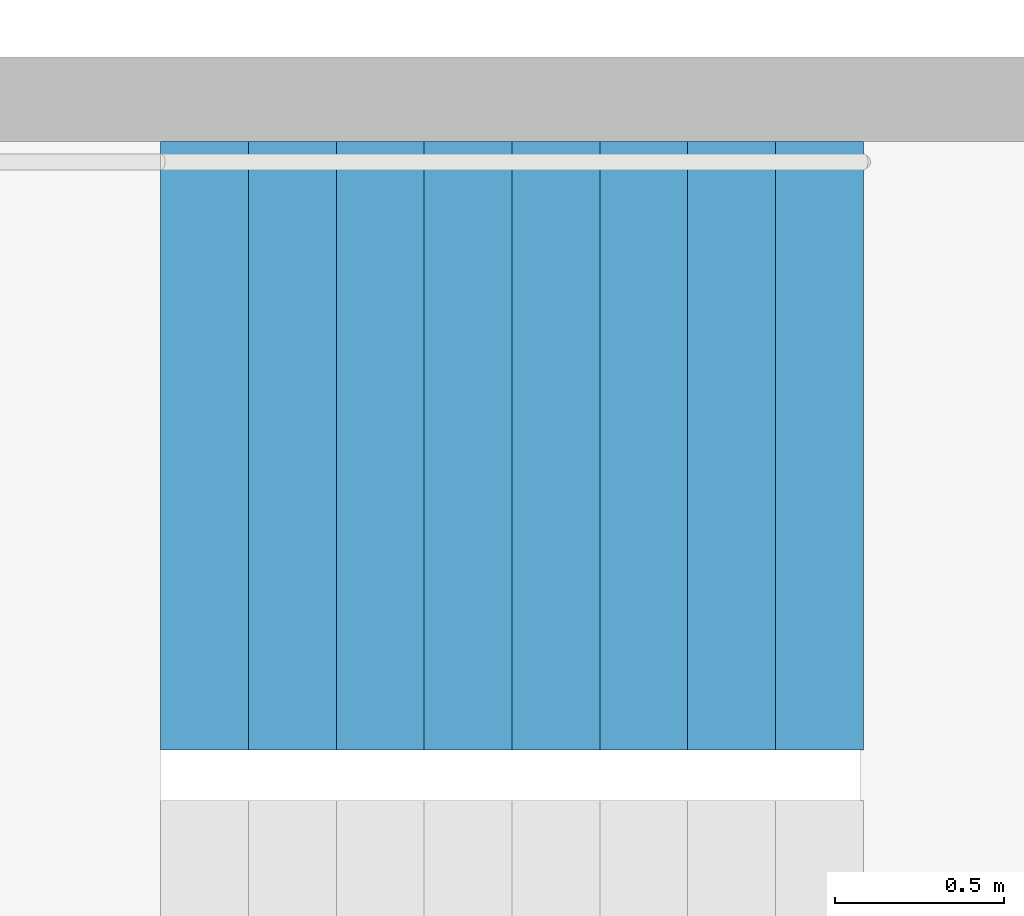
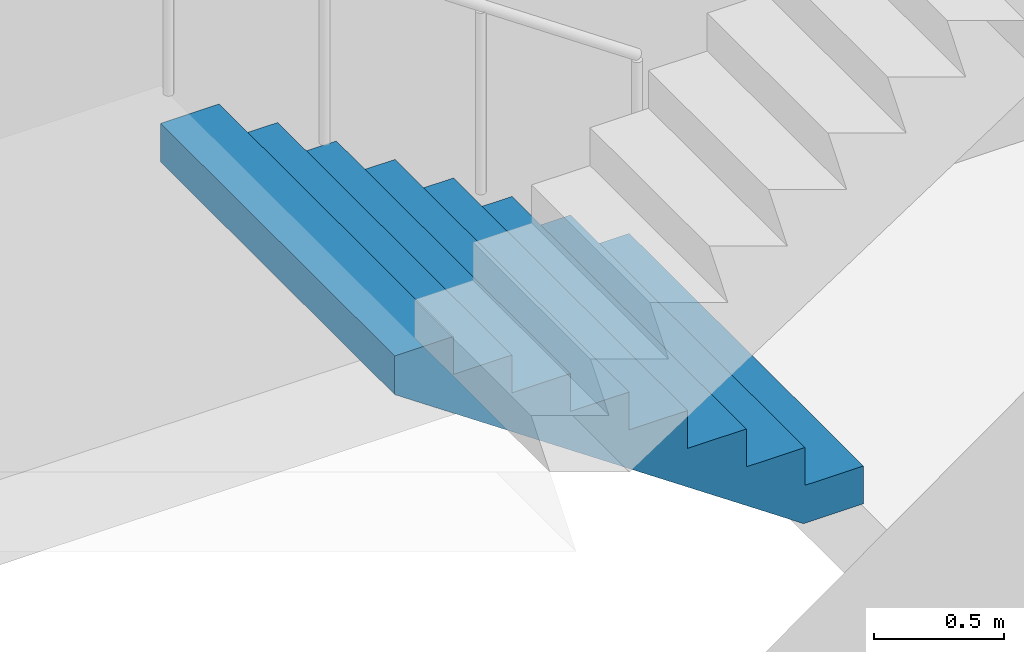
# One storey, part 22 of 29: 1 stair flight, 1 element without a shape of its own.
"""IFC4 building model written with IfcOpenShell, lengths in metres."""

from ifc_helpers import new_model, si_unit, direction, frame, origin, place, context, subcontext, project, spatial, triangles, material, type_object, element, aggregate, save


model = new_model("IFC4")

# Units and contexts
model_context = context("Model", 3, precision=1e-05, world=origin(), true_north=direction((0.0, 1.0)))
body_context = subcontext(model_context, "Body", "Model", "MODEL_VIEW")
ifc_project = project(units=[si_unit("LENGTHUNIT", "METRE"), si_unit("AREAUNIT", "SQUARE_METRE"), si_unit("VOLUMEUNIT", "CUBIC_METRE"), si_unit("PLANEANGLEUNIT", "RADIAN"), si_unit("MASSUNIT", "GRAM", prefix="KILO")], contexts=[model_context])

# Site, building, storey
site_placement = place(None, origin())
site = spatial("IfcSite", under=ifc_project, at=site_placement, CompositionType="ELEMENT")
building_placement = place(site_placement, origin())
building = spatial("IfcBuilding", under=site, at=building_placement, Name="Hakoniwa Tower and Hamabe Station Hall", CompositionType="ELEMENT")
storey_placement = place(building_placement, frame((0.0, 0.0, 104.199951171875)))
storey = spatial("IfcBuildingStorey", under=building, at=storey_placement, Name="L29", CompositionType="ELEMENT", Elevation=104.199951171875)

# Stair, stair flight
ifc_material_1 = material(Name="Concrete C40", Category="concrete")
stair_type = type_object("IfcStairType", Name="ESCAPE STAIR 1800", PredefinedType="HALF_TURN_STAIR", material=ifc_material_1)
stair_placement = place(storey_placement, origin())
stair = element("IfcStair", 1, at=stair_placement, inside=storey, type_object=stair_type, Name="Escape stair ST-2 L29", PredefinedType="HALF_TURN_STAIR")
ifc_material_2 = material(Name="Concrete C40", Category="concrete")
stair_flight_type = type_object("IfcStairFlightType", Name="STAIR FLIGHT 1800", PredefinedType="STRAIGHT", material=ifc_material_2)
stair_flight_placement = place(storey_placement, frame((-23.39990234375, -4.64990234375, 0.0), z_axis=(0.0, 0.0, 1.0), x_axis=(-1.0, 0.0, 0.0)))
stair_flight = element("IfcStairFlight", 2, at=stair_flight_placement, type_object=stair_flight_type, Name="ST-2 flight 1", NumberOfRisers=9, NumberOfTreads=8, PredefinedType="STRAIGHT", RiserHeight=0.177777778, TreadLength=0.26, context=body_context, shape_type="Tessellation", body=[
    triangles([(0.0, 0.89990234375, 0.0), (0.260009765625, 0.89990234375, 0.0), (0.265625, 0.89990234375, 0.0), (0.52001953125, 0.89990234375, 0.174072265625), (0.780029296875, 0.89990234375, 0.351806640625), (1.0400390625, 0.89990234375, 0.529541015625), (1.300048828125, 0.89990234375, 0.707275390625), (1.56005859375, 0.89990234375, 0.885009765625), (1.820068359375, 0.89990234375, 1.062744140625), (2.080078125, 0.89990234375, 1.24072265625), (2.080078125, 0.89990234375, 1.422119140625), (1.820068359375, 0.89990234375, 1.422119140625), (1.820068359375, 0.89990234375, 1.244384765625), (1.56005859375, 0.89990234375, 1.244384765625), (1.56005859375, 0.89990234375, 1.066650390625), (1.300048828125, 0.89990234375, 1.066650390625), (1.300048828125, 0.89990234375, 0.888916015625), (1.0400390625, 0.89990234375, 0.888916015625), (1.0400390625, 0.89990234375, 0.711181640625), (0.780029296875, 0.89990234375, 0.711181640625), (0.780029296875, 0.89990234375, 0.533447265625), (0.52001953125, 0.89990234375, 0.533447265625), (0.52001953125, 0.89990234375, 0.35546875), (0.265625, 0.89990234375, 0.35546875), (0.260009765625, 0.89990234375, 0.35546875), (0.260009765625, 0.89990234375, 0.177734375), (0.0, 0.89990234375, 0.177734375), (0.0, 0.06005859375, 0.0), (0.260009765625, 0.06005859375, 0.0), (0.265625, 0.06005859375, 0.0), (0.52001953125, 0.06005859375, 0.174072265625), (0.780029296875, 0.06005859375, 0.351806640625), (1.0400390625, 0.06005859375, 0.529541015625), (1.300048828125, 0.06005859375, 0.707275390625), (1.56005859375, 0.06005859375, 0.885009765625), (1.820068359375, 0.06005859375, 1.062744140625), (2.080078125, 0.06005859375, 1.24072265625), (2.080078125, 0.06005859375, 1.422119140625), (1.820068359375, 0.06005859375, 1.422119140625), (1.820068359375, 0.06005859375, 1.244384765625), (1.56005859375, 0.06005859375, 1.244384765625), (1.56005859375, 0.06005859375, 1.066650390625), (1.300048828125, 0.06005859375, 1.066650390625), (1.300048828125, 0.06005859375, 0.888916015625), (1.0400390625, 0.06005859375, 0.888916015625), (1.0400390625, 0.06005859375, 0.711181640625), (0.780029296875, 0.06005859375, 0.711181640625), (0.780029296875, 0.06005859375, 0.533447265625), (0.52001953125, 0.06005859375, 0.533447265625), (0.52001953125, 0.06005859375, 0.35546875), (0.265625, 0.06005859375, 0.35546875), (0.260009765625, 0.06005859375, 0.35546875), (0.260009765625, 0.06005859375, 0.177734375), (0.0, 0.06005859375, 0.177734375), (0.0, 0.04296875, 0.0), (0.260009765625, 0.04296875, 0.0), (0.265625, 0.04296875, 0.0), (0.52001953125, 0.04296875, 0.174072265625), (0.780029296875, 0.04296875, 0.351806640625), (1.0400390625, 0.04296875, 0.529541015625), (1.300048828125, 0.04296875, 0.707275390625), (1.56005859375, 0.04296875, 0.885009765625), (1.820068359375, 0.04296875, 1.062744140625), (2.080078125, 0.04296875, 1.24072265625), (2.080078125, 0.04296875, 1.422119140625), (1.820068359375, 0.04296875, 1.422119140625), (1.820068359375, 0.04296875, 1.244384765625), (1.56005859375, 0.04296875, 1.244384765625), (1.56005859375, 0.04296875, 1.066650390625), (1.300048828125, 0.04296875, 1.066650390625), (1.300048828125, 0.04296875, 0.888916015625), (1.0400390625, 0.04296875, 0.888916015625), (1.0400390625, 0.04296875, 0.711181640625), (0.780029296875, 0.04296875, 0.711181640625), (0.780029296875, 0.04296875, 0.533447265625), (0.52001953125, 0.04296875, 0.533447265625), (0.52001953125, 0.04296875, 0.35546875), (0.265625, 0.04296875, 0.35546875), (0.260009765625, 0.04296875, 0.35546875), (0.260009765625, 0.04296875, 0.177734375), (0.0, 0.04296875, 0.177734375), (0.0, 0.025634765625, 0.0), (0.260009765625, 0.025634765625, 0.0), (0.265625, 0.025634765625, 0.0), (0.52001953125, 0.025634765625, 0.174072265625), (0.780029296875, 0.025634765625, 0.351806640625), (1.0400390625, 0.025634765625, 0.529541015625), (1.300048828125, 0.025634765625, 0.707275390625), (1.56005859375, 0.025634765625, 0.885009765625), (1.820068359375, 0.025634765625, 1.062744140625), (2.080078125, 0.025634765625, 1.24072265625), (2.080078125, 0.025634765625, 1.422119140625), (1.820068359375, 0.025634765625, 1.422119140625), (1.820068359375, 0.025634765625, 1.244384765625), (1.56005859375, 0.025634765625, 1.244384765625), (1.56005859375, 0.025634765625, 1.066650390625), (1.300048828125, 0.025634765625, 1.066650390625), (1.300048828125, 0.025634765625, 0.888916015625), (1.0400390625, 0.025634765625, 0.888916015625), (1.0400390625, 0.025634765625, 0.711181640625), (0.780029296875, 0.025634765625, 0.711181640625), (0.780029296875, 0.025634765625, 0.533447265625), (0.52001953125, 0.025634765625, 0.533447265625), (0.52001953125, 0.025634765625, 0.35546875), (0.265625, 0.025634765625, 0.35546875), (0.260009765625, 0.025634765625, 0.35546875), (0.260009765625, 0.025634765625, 0.177734375), (0.0, 0.025634765625, 0.177734375), (0.0, 0.008544921875, 0.0), (0.260009765625, 0.008544921875, 0.0), (0.265625, 0.008544921875, 0.0), (0.52001953125, 0.008544921875, 0.174072265625), (0.780029296875, 0.008544921875, 0.351806640625), (1.0400390625, 0.008544921875, 0.529541015625), (1.300048828125, 0.008544921875, 0.707275390625), (1.56005859375, 0.008544921875, 0.885009765625), (1.820068359375, 0.008544921875, 1.062744140625), (2.080078125, 0.008544921875, 1.24072265625), (2.080078125, 0.008544921875, 1.422119140625), (1.820068359375, 0.008544921875, 1.422119140625), (1.820068359375, 0.008544921875, 1.244384765625), (1.56005859375, 0.008544921875, 1.244384765625), (1.56005859375, 0.008544921875, 1.066650390625), (1.300048828125, 0.008544921875, 1.066650390625), (1.300048828125, 0.008544921875, 0.888916015625), (1.0400390625, 0.008544921875, 0.888916015625), (1.0400390625, 0.008544921875, 0.711181640625), (0.780029296875, 0.008544921875, 0.711181640625), (0.780029296875, 0.008544921875, 0.533447265625), (0.52001953125, 0.008544921875, 0.533447265625), (0.52001953125, 0.008544921875, 0.35546875), (0.265625, 0.008544921875, 0.35546875), (0.260009765625, 0.008544921875, 0.35546875), (0.260009765625, 0.008544921875, 0.177734375), (0.0, 0.008544921875, 0.177734375), (0.0, -0.008544921875, 0.0), (0.260009765625, -0.008544921875, 0.0), (0.265625, -0.008544921875, 0.0), (0.52001953125, -0.008544921875, 0.174072265625), (0.780029296875, -0.008544921875, 0.351806640625), (1.0400390625, -0.008544921875, 0.529541015625), (1.300048828125, -0.008544921875, 0.707275390625), (1.56005859375, -0.008544921875, 0.885009765625), (1.820068359375, -0.008544921875, 1.062744140625), (2.080078125, -0.008544921875, 1.24072265625), (2.080078125, -0.008544921875, 1.422119140625), (1.820068359375, -0.008544921875, 1.422119140625), (1.820068359375, -0.008544921875, 1.244384765625), (1.56005859375, -0.008544921875, 1.244384765625), (1.56005859375, -0.008544921875, 1.066650390625), (1.300048828125, -0.008544921875, 1.066650390625), (1.300048828125, -0.008544921875, 0.888916015625), (1.0400390625, -0.008544921875, 0.888916015625), (1.0400390625, -0.008544921875, 0.711181640625), (0.780029296875, -0.008544921875, 0.711181640625), (0.780029296875, -0.008544921875, 0.533447265625), (0.52001953125, -0.008544921875, 0.533447265625), (0.52001953125, -0.008544921875, 0.35546875), (0.265625, -0.008544921875, 0.35546875), (0.260009765625, -0.008544921875, 0.35546875), (0.260009765625, -0.008544921875, 0.177734375), (0.0, -0.008544921875, 0.177734375), (0.0, -0.025634765625, 0.0), (0.260009765625, -0.025634765625, 0.0), (0.265625, -0.025634765625, 0.0), (0.52001953125, -0.025634765625, 0.174072265625), (0.780029296875, -0.025634765625, 0.351806640625), (1.0400390625, -0.025634765625, 0.529541015625), (1.300048828125, -0.025634765625, 0.707275390625), (1.56005859375, -0.025634765625, 0.885009765625), (1.820068359375, -0.025634765625, 1.062744140625), (2.080078125, -0.025634765625, 1.24072265625), (2.080078125, -0.025634765625, 1.422119140625), (1.820068359375, -0.025634765625, 1.422119140625), (1.820068359375, -0.025634765625, 1.244384765625), (1.56005859375, -0.025634765625, 1.244384765625), (1.56005859375, -0.025634765625, 1.066650390625), (1.300048828125, -0.025634765625, 1.066650390625), (1.300048828125, -0.025634765625, 0.888916015625), (1.0400390625, -0.025634765625, 0.888916015625), (1.0400390625, -0.025634765625, 0.711181640625), (0.780029296875, -0.025634765625, 0.711181640625), (0.780029296875, -0.025634765625, 0.533447265625), (0.52001953125, -0.025634765625, 0.533447265625), (0.52001953125, -0.025634765625, 0.35546875), (0.265625, -0.025634765625, 0.35546875), (0.260009765625, -0.025634765625, 0.35546875), (0.260009765625, -0.025634765625, 0.177734375), (0.0, -0.025634765625, 0.177734375), (0.0, -0.04296875, 0.0), (0.260009765625, -0.04296875, 0.0), (0.265625, -0.04296875, 0.0), (0.52001953125, -0.04296875, 0.174072265625), (0.780029296875, -0.04296875, 0.351806640625), (1.0400390625, -0.04296875, 0.529541015625), (1.300048828125, -0.04296875, 0.707275390625), (1.56005859375, -0.04296875, 0.885009765625), (1.820068359375, -0.04296875, 1.062744140625), (2.080078125, -0.04296875, 1.24072265625), (2.080078125, -0.04296875, 1.422119140625), (1.820068359375, -0.04296875, 1.422119140625), (1.820068359375, -0.04296875, 1.244384765625), (1.56005859375, -0.04296875, 1.244384765625), (1.56005859375, -0.04296875, 1.066650390625), (1.300048828125, -0.04296875, 1.066650390625), (1.300048828125, -0.04296875, 0.888916015625), (1.0400390625, -0.04296875, 0.888916015625), (1.0400390625, -0.04296875, 0.711181640625), (0.780029296875, -0.04296875, 0.711181640625), (0.780029296875, -0.04296875, 0.533447265625), (0.52001953125, -0.04296875, 0.533447265625), (0.52001953125, -0.04296875, 0.35546875), (0.265625, -0.04296875, 0.35546875), (0.260009765625, -0.04296875, 0.35546875), (0.260009765625, -0.04296875, 0.177734375), (0.0, -0.04296875, 0.177734375), (0.0, -0.06005859375, 0.0), (0.260009765625, -0.06005859375, 0.0), (0.265625, -0.06005859375, 0.0), (0.52001953125, -0.06005859375, 0.174072265625), (0.780029296875, -0.06005859375, 0.351806640625), (1.0400390625, -0.06005859375, 0.529541015625), (1.300048828125, -0.06005859375, 0.707275390625), (1.56005859375, -0.06005859375, 0.885009765625), (1.820068359375, -0.06005859375, 1.062744140625), (2.080078125, -0.06005859375, 1.24072265625), (2.080078125, -0.06005859375, 1.422119140625), (1.820068359375, -0.06005859375, 1.422119140625), (1.820068359375, -0.06005859375, 1.244384765625), (1.56005859375, -0.06005859375, 1.244384765625), (1.56005859375, -0.06005859375, 1.066650390625), (1.300048828125, -0.06005859375, 1.066650390625), (1.300048828125, -0.06005859375, 0.888916015625), (1.0400390625, -0.06005859375, 0.888916015625), (1.0400390625, -0.06005859375, 0.711181640625), (0.780029296875, -0.06005859375, 0.711181640625), (0.780029296875, -0.06005859375, 0.533447265625), (0.52001953125, -0.06005859375, 0.533447265625), (0.52001953125, -0.06005859375, 0.35546875), (0.265625, -0.06005859375, 0.35546875), (0.260009765625, -0.06005859375, 0.35546875), (0.260009765625, -0.06005859375, 0.177734375), (0.0, -0.06005859375, 0.177734375), (0.0, -0.89990234375, 0.0), (0.260009765625, -0.89990234375, 0.0), (0.265625, -0.89990234375, 0.0), (0.52001953125, -0.89990234375, 0.174072265625), (0.780029296875, -0.89990234375, 0.351806640625), (1.0400390625, -0.89990234375, 0.529541015625), (1.300048828125, -0.89990234375, 0.707275390625), (1.56005859375, -0.89990234375, 0.885009765625), (1.820068359375, -0.89990234375, 1.062744140625), (2.080078125, -0.89990234375, 1.24072265625), (2.080078125, -0.89990234375, 1.422119140625), (1.820068359375, -0.89990234375, 1.422119140625), (1.820068359375, -0.89990234375, 1.244384765625), (1.56005859375, -0.89990234375, 1.244384765625), (1.56005859375, -0.89990234375, 1.066650390625), (1.300048828125, -0.89990234375, 1.066650390625), (1.300048828125, -0.89990234375, 0.888916015625), (1.0400390625, -0.89990234375, 0.888916015625), (1.0400390625, -0.89990234375, 0.711181640625), (0.780029296875, -0.89990234375, 0.711181640625), (0.780029296875, -0.89990234375, 0.533447265625), (0.52001953125, -0.89990234375, 0.533447265625), (0.52001953125, -0.89990234375, 0.35546875), (0.265625, -0.89990234375, 0.35546875), (0.260009765625, -0.89990234375, 0.35546875), (0.260009765625, -0.89990234375, 0.177734375), (0.0, -0.89990234375, 0.177734375)], [[2, 27, 26], [245, 269, 270], [2, 1, 27], [245, 270, 244], [3, 25, 24], [246, 267, 268], [3, 26, 25], [246, 268, 269], [3, 2, 26], [246, 269, 245], [4, 24, 23], [247, 266, 267], [4, 3, 24], [247, 267, 246], [5, 22, 21], [248, 264, 265], [5, 23, 22], [248, 265, 266], [5, 4, 23], [248, 266, 247], [6, 20, 19], [249, 262, 263], [6, 21, 20], [249, 263, 264], [6, 5, 21], [249, 264, 248], [7, 18, 17], [250, 260, 261], [7, 19, 18], [250, 261, 262], [7, 6, 19], [250, 262, 249], [8, 16, 15], [251, 258, 259], [8, 17, 16], [251, 259, 260], [8, 7, 17], [251, 260, 250], [9, 14, 13], [252, 256, 257], [9, 15, 14], [252, 257, 258], [9, 8, 15], [252, 258, 251], [10, 12, 11], [253, 254, 255], [10, 13, 12], [253, 255, 256], [10, 9, 13], [253, 256, 252], [1, 2, 29], [1, 29, 28], [28, 29, 56], [28, 56, 55], [55, 56, 83], [55, 83, 82], [82, 83, 110], [82, 110, 109], [109, 110, 137], [109, 137, 136], [136, 137, 164], [136, 164, 163], [163, 164, 191], [163, 191, 190], [190, 191, 218], [190, 218, 217], [217, 218, 245], [217, 245, 244], [2, 3, 30], [2, 30, 29], [29, 30, 57], [29, 57, 56], [56, 57, 84], [56, 84, 83], [83, 84, 111], [83, 111, 110], [110, 111, 138], [110, 138, 137], [137, 138, 165], [137, 165, 164], [164, 165, 192], [164, 192, 191], [191, 192, 219], [191, 219, 218], [218, 219, 246], [218, 246, 245], [3, 4, 31], [3, 31, 30], [30, 31, 58], [30, 58, 57], [57, 58, 85], [57, 85, 84], [84, 85, 112], [84, 112, 111], [111, 112, 139], [111, 139, 138], [138, 139, 166], [138, 166, 165], [165, 166, 193], [165, 193, 192], [192, 193, 220], [192, 220, 219], [219, 220, 247], [219, 247, 246], [4, 5, 32], [4, 32, 31], [31, 32, 59], [31, 59, 58], [58, 59, 86], [58, 86, 85], [85, 86, 113], [85, 113, 112], [112, 113, 140], [112, 140, 139], [139, 140, 167], [139, 167, 166], [166, 167, 194], [166, 194, 193], [193, 194, 221], [193, 221, 220], [220, 221, 248], [220, 248, 247], [5, 6, 33], [5, 33, 32], [32, 33, 60], [32, 60, 59], [59, 60, 87], [59, 87, 86], [86, 87, 114], [86, 114, 113], [113, 114, 141], [113, 141, 140], [140, 141, 168], [140, 168, 167], [167, 168, 195], [167, 195, 194], [194, 195, 222], [194, 222, 221], [221, 222, 249], [221, 249, 248], [6, 7, 34], [6, 34, 33], [33, 34, 61], [33, 61, 60], [60, 61, 88], [60, 88, 87], [87, 88, 115], [87, 115, 114], [114, 115, 142], [114, 142, 141], [141, 142, 169], [141, 169, 168], [168, 169, 196], [168, 196, 195], [195, 196, 223], [195, 223, 222], [222, 223, 250], [222, 250, 249], [7, 8, 35], [7, 35, 34], [34, 35, 62], [34, 62, 61], [61, 62, 89], [61, 89, 88], [88, 89, 116], [88, 116, 115], [115, 116, 143], [115, 143, 142], [142, 143, 170], [142, 170, 169], [169, 170, 197], [169, 197, 196], [196, 197, 224], [196, 224, 223], [223, 224, 251], [223, 251, 250], [8, 9, 36], [8, 36, 35], [35, 36, 63], [35, 63, 62], [62, 63, 90], [62, 90, 89], [89, 90, 117], [89, 117, 116], [116, 117, 144], [116, 144, 143], [143, 144, 171], [143, 171, 170], [170, 171, 198], [170, 198, 197], [197, 198, 225], [197, 225, 224], [224, 225, 252], [224, 252, 251], [9, 10, 37], [9, 37, 36], [36, 37, 64], [36, 64, 63], [63, 64, 91], [63, 91, 90], [90, 91, 118], [90, 118, 117], [117, 118, 145], [117, 145, 144], [144, 145, 172], [144, 172, 171], [171, 172, 199], [171, 199, 198], [198, 199, 226], [198, 226, 225], [225, 226, 253], [225, 253, 252], [10, 11, 38], [10, 38, 37], [37, 38, 65], [37, 65, 64], [64, 65, 92], [64, 92, 91], [91, 92, 119], [91, 119, 118], [118, 119, 146], [118, 146, 145], [145, 146, 173], [145, 173, 172], [172, 173, 200], [172, 200, 199], [199, 200, 227], [199, 227, 226], [226, 227, 254], [226, 254, 253], [11, 12, 39], [11, 39, 38], [38, 39, 66], [38, 66, 65], [65, 66, 93], [65, 93, 92], [92, 93, 120], [92, 120, 119], [119, 120, 147], [119, 147, 146], [146, 147, 174], [146, 174, 173], [173, 174, 201], [173, 201, 200], [200, 201, 228], [200, 228, 227], [227, 228, 255], [227, 255, 254], [12, 13, 40], [12, 40, 39], [39, 40, 67], [39, 67, 66], [66, 67, 94], [66, 94, 93], [93, 94, 121], [93, 121, 120], [120, 121, 148], [120, 148, 147], [147, 148, 175], [147, 175, 174], [174, 175, 202], [174, 202, 201], [201, 202, 229], [201, 229, 228], [228, 229, 256], [228, 256, 255], [13, 14, 41], [13, 41, 40], [40, 41, 68], [40, 68, 67], [67, 68, 95], [67, 95, 94], [94, 95, 122], [94, 122, 121], [121, 122, 149], [121, 149, 148], [148, 149, 176], [148, 176, 175], [175, 176, 203], [175, 203, 202], [202, 203, 230], [202, 230, 229], [229, 230, 257], [229, 257, 256], [14, 15, 42], [14, 42, 41], [41, 42, 69], [41, 69, 68], [68, 69, 96], [68, 96, 95], [95, 96, 123], [95, 123, 122], [122, 123, 150], [122, 150, 149], [149, 150, 177], [149, 177, 176], [176, 177, 204], [176, 204, 203], [203, 204, 231], [203, 231, 230], [230, 231, 258], [230, 258, 257], [15, 16, 43], [15, 43, 42], [42, 43, 70], [42, 70, 69], [69, 70, 97], [69, 97, 96], [96, 97, 124], [96, 124, 123], [123, 124, 151], [123, 151, 150], [150, 151, 178], [150, 178, 177], [177, 178, 205], [177, 205, 204], [204, 205, 232], [204, 232, 231], [231, 232, 259], [231, 259, 258], [16, 17, 44], [16, 44, 43], [43, 44, 71], [43, 71, 70], [70, 71, 98], [70, 98, 97], [97, 98, 125], [97, 125, 124], [124, 125, 152], [124, 152, 151], [151, 152, 179], [151, 179, 178], [178, 179, 206], [178, 206, 205], [205, 206, 233], [205, 233, 232], [232, 233, 260], [232, 260, 259], [17, 18, 45], [17, 45, 44], [44, 45, 72], [44, 72, 71], [71, 72, 99], [71, 99, 98], [98, 99, 126], [98, 126, 125], [125, 126, 153], [125, 153, 152], [152, 153, 180], [152, 180, 179], [179, 180, 207], [179, 207, 206], [206, 207, 234], [206, 234, 233], [233, 234, 261], [233, 261, 260], [18, 19, 46], [18, 46, 45], [45, 46, 73], [45, 73, 72], [72, 73, 100], [72, 100, 99], [99, 100, 127], [99, 127, 126], [126, 127, 154], [126, 154, 153], [153, 154, 181], [153, 181, 180], [180, 181, 208], [180, 208, 207], [207, 208, 235], [207, 235, 234], [234, 235, 262], [234, 262, 261], [19, 20, 47], [19, 47, 46], [46, 47, 74], [46, 74, 73], [73, 74, 101], [73, 101, 100], [100, 101, 128], [100, 128, 127], [127, 128, 155], [127, 155, 154], [154, 155, 182], [154, 182, 181], [181, 182, 209], [181, 209, 208], [208, 209, 236], [208, 236, 235], [235, 236, 263], [235, 263, 262], [20, 21, 48], [20, 48, 47], [47, 48, 75], [47, 75, 74], [74, 75, 102], [74, 102, 101], [101, 102, 129], [101, 129, 128], [128, 129, 156], [128, 156, 155], [155, 156, 183], [155, 183, 182], [182, 183, 210], [182, 210, 209], [209, 210, 237], [209, 237, 236], [236, 237, 264], [236, 264, 263], [21, 22, 49], [21, 49, 48], [48, 49, 76], [48, 76, 75], [75, 76, 103], [75, 103, 102], [102, 103, 130], [102, 130, 129], [129, 130, 157], [129, 157, 156], [156, 157, 184], [156, 184, 183], [183, 184, 211], [183, 211, 210], [210, 211, 238], [210, 238, 237], [237, 238, 265], [237, 265, 264], [22, 23, 50], [22, 50, 49], [49, 50, 77], [49, 77, 76], [76, 77, 104], [76, 104, 103], [103, 104, 131], [103, 131, 130], [130, 131, 158], [130, 158, 157], [157, 158, 185], [157, 185, 184], [184, 185, 212], [184, 212, 211], [211, 212, 239], [211, 239, 238], [238, 239, 266], [238, 266, 265], [23, 24, 51], [23, 51, 50], [50, 51, 78], [50, 78, 77], [77, 78, 105], [77, 105, 104], [104, 105, 132], [104, 132, 131], [131, 132, 159], [131, 159, 158], [158, 159, 186], [158, 186, 185], [185, 186, 213], [185, 213, 212], [212, 213, 240], [212, 240, 239], [239, 240, 267], [239, 267, 266], [24, 25, 52], [24, 52, 51], [51, 52, 79], [51, 79, 78], [78, 79, 106], [78, 106, 105], [105, 106, 133], [105, 133, 132], [132, 133, 160], [132, 160, 159], [159, 160, 187], [159, 187, 186], [186, 187, 214], [186, 214, 213], [213, 214, 241], [213, 241, 240], [240, 241, 268], [240, 268, 267], [25, 26, 53], [25, 53, 52], [52, 53, 80], [52, 80, 79], [79, 80, 107], [79, 107, 106], [106, 107, 134], [106, 134, 133], [133, 134, 161], [133, 161, 160], [160, 161, 188], [160, 188, 187], [187, 188, 215], [187, 215, 214], [214, 215, 242], [214, 242, 241], [241, 242, 269], [241, 269, 268], [26, 27, 54], [26, 54, 53], [53, 54, 81], [53, 81, 80], [80, 81, 108], [80, 108, 107], [107, 108, 135], [107, 135, 134], [134, 135, 162], [134, 162, 161], [161, 162, 189], [161, 189, 188], [188, 189, 216], [188, 216, 215], [215, 216, 243], [215, 243, 242], [242, 243, 270], [242, 270, 269], [27, 1, 28], [27, 28, 54], [54, 28, 55], [54, 55, 81], [81, 55, 82], [81, 82, 108], [108, 82, 109], [108, 109, 135], [135, 109, 136], [135, 136, 162], [162, 136, 163], [162, 163, 189], [189, 163, 190], [189, 190, 216], [216, 190, 217], [216, 217, 243], [243, 217, 244], [243, 244, 270]], closed=True),
])
aggregate(stair, [stair_flight])

save(model, "model.ifc")
